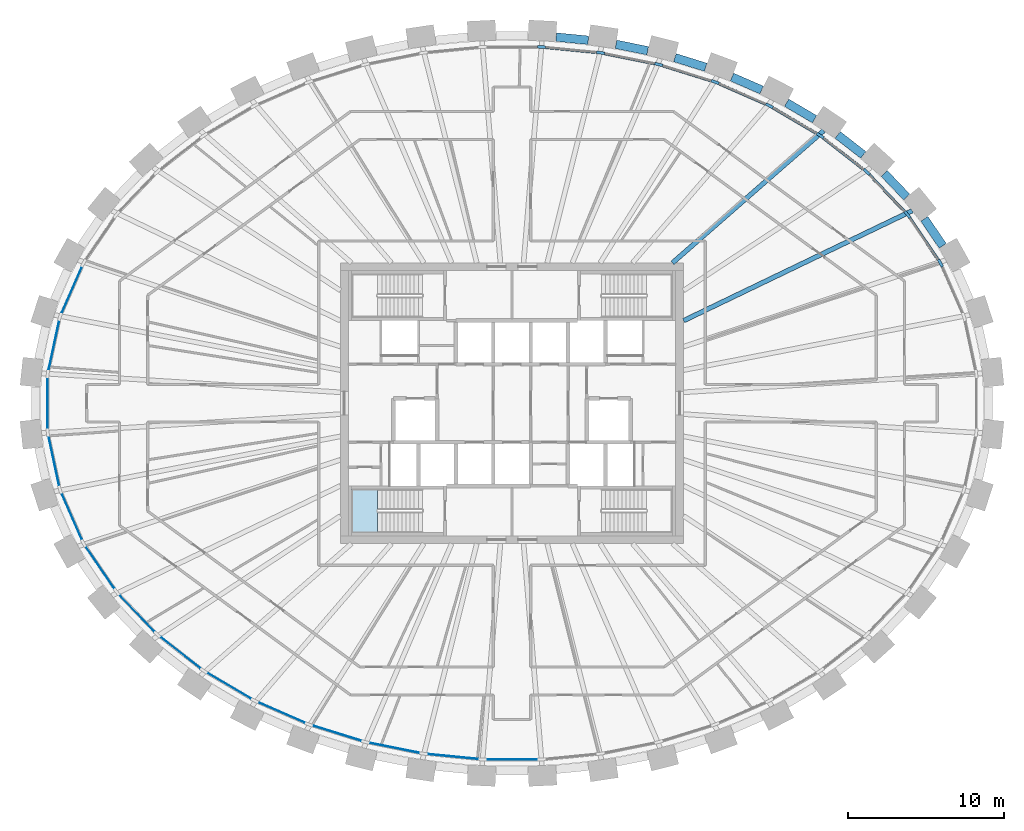
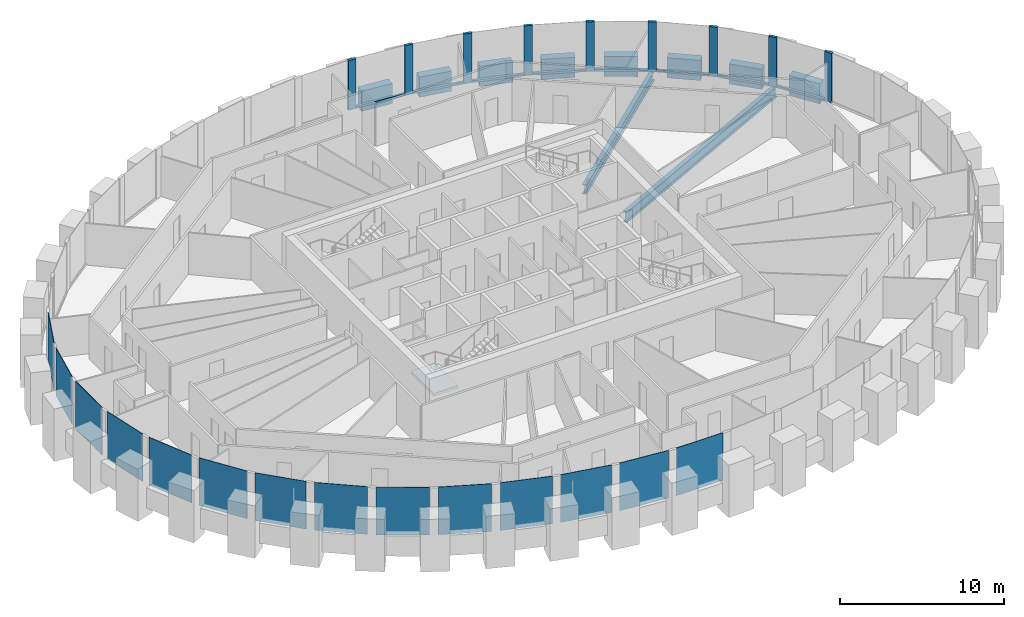
# One storey, part 4 of 12: 17 members, 14 plates, 10 beams, 1 slab, 2 elements without a shape of their own.
"""IFC4 building model written with IfcOpenShell, lengths in metres."""

from ifc_helpers import new_model, si_unit, direction, frame, origin, origin_2d, place, context, subcontext, project, spatial, polyline, rectangle, i_section, outline, extrude, source, transform, mapped, material, layer, layer_set, material_profile, profile_set, type_object, element, aggregate, save


model = new_model("IFC4")

# Units and contexts
model_context = context("Model", 3, precision=1e-05, world=origin(), true_north=direction((0.0, 1.0)))
body_context = subcontext(model_context, "Body", "Model", "MODEL_VIEW")
ifc_project = project(units=[si_unit("LENGTHUNIT", "METRE"), si_unit("AREAUNIT", "SQUARE_METRE"), si_unit("VOLUMEUNIT", "CUBIC_METRE"), si_unit("PLANEANGLEUNIT", "RADIAN"), si_unit("MASSUNIT", "GRAM", prefix="KILO")], contexts=[model_context])

# Site, building, storey
site_placement = place(None, origin())
site = spatial("IfcSite", under=ifc_project, at=site_placement, CompositionType="ELEMENT")
building_placement = place(site_placement, origin())
building = spatial("IfcBuilding", under=site, at=building_placement, Name="Embergate Tower", CompositionType="ELEMENT")
storey_placement = place(building_placement, frame((0.0, 0.0, 293.5)))
storey = spatial("IfcBuildingStorey", under=building, at=storey_placement, Name="L68", CompositionType="ELEMENT", Elevation=293.5)

# Beams
ifc_material_1 = material(Name="Concrete C50", Category="concrete")
ifc_material_profile_1 = material_profile(ifc_material_1, rectangle(XDim=0.550048828125, YDim=1.5, at=origin_2d()), Name="RC 550x1500")
ifc_profile_set_1 = profile_set([ifc_material_profile_1], Name="Concrete C50")
beam_type_1 = type_object("IfcBeamType", Name="Spandrel beam RC 550x1500 C50", PredefinedType="BEAM", material=ifc_profile_set_1)
shared_shape_1 = source(origin(), body_context, "Body", "SweptSolid", [
    extrude(rectangle(XDim=0.550048828125, YDim=1.5, at=origin_2d()), origin(), (0.0, 0.0, 1.0), 2.09033203125),
])
beam_1_placement = place(storey_placement, frame((27.618896484375, 10.093994140625, 0.0), z_axis=(-0.562009695033, 0.827130644269, 0.0), x_axis=(-0.827130644269, -0.562009695033, 0.0)))
element("IfcBeam", 1, at=beam_1_placement, inside=storey, type_object=beam_type_1, Name="SPN-L68-02", PredefinedType="BEAM", context=body_context, shape_type="MappedRepresentation", body=[
    mapped(shared_shape_1, transform((0.0, 0.0, 0.0))),
])
shared_shape_2 = source(origin(), body_context, "Body", "SweptSolid", [
    extrude(rectangle(XDim=0.550048828125, YDim=1.5, at=origin_2d()), origin(), (0.0, 0.0, 1.0), 2.08447265625),
])
beam_2_placement = place(storey_placement, frame((25.31298828125, 13.222900390625, 0.0), z_axis=(-0.690339235394, 0.72348582576, 0.0), x_axis=(-0.72348582576, -0.690339235394, 0.0)))
element("IfcBeam", 2, at=beam_2_placement, inside=storey, type_object=beam_type_1, Name="SPN-L68-03", PredefinedType="BEAM", context=body_context, shape_type="MappedRepresentation", body=[
    mapped(shared_shape_2, transform((0.0, 0.0, 0.0))),
])
shared_shape_3 = source(origin(), body_context, "Body", "SweptSolid", [
    extrude(rectangle(XDim=0.550048828125, YDim=1.5, at=origin_2d()), origin(), (0.0, 0.0, 1.0), 2.0791015625),
])
beam_3_placement = place(storey_placement, frame((22.527099609375, 15.925048828125, 0.0), z_axis=(-0.788383845435, 0.615183641084, 0.0), x_axis=(-0.615183641084, -0.788383845435, 0.0)))
element("IfcBeam", 3, at=beam_3_placement, inside=storey, type_object=beam_type_1, Name="SPN-L68-04", PredefinedType="BEAM", context=body_context, shape_type="MappedRepresentation", body=[
    mapped(shared_shape_3, transform((0.0, 0.0, 0.0))),
])
shared_shape_4 = source(origin(), body_context, "Body", "SweptSolid", [
    extrude(rectangle(XDim=0.550048828125, YDim=1.5, at=origin_2d()), origin(), (0.0, 0.0, 1.0), 2.074462890625),
])
beam_4_placement = place(storey_placement, frame((19.39892578125, 18.216064453125, 0.0), z_axis=(-0.861864620017, 0.507138419726, 0.0), x_axis=(-0.507138419726, -0.861864620017, 0.0)))
element("IfcBeam", 4, at=beam_4_placement, inside=storey, type_object=beam_type_1, Name="SPN-L68-05", PredefinedType="BEAM", context=body_context, shape_type="MappedRepresentation", body=[
    mapped(shared_shape_4, transform((0.0, 0.0, 0.0))),
])
shared_shape_5 = source(origin(), body_context, "Body", "SweptSolid", [
    extrude(rectangle(XDim=0.550048828125, YDim=1.5, at=origin_2d()), origin(), (0.0, 0.0, 1.0), 2.073486328125),
])
beam_5_placement = place(storey_placement, frame((16.008056640625, 20.0859375, 0.0), z_axis=(-0.91637608024, 0.400318472673, 0.0), x_axis=(-0.400318472673, -0.91637608024, 0.0)))
element("IfcBeam", 5, at=beam_5_placement, inside=storey, type_object=beam_type_1, Name="SPN-L68-06", PredefinedType="BEAM", context=body_context, shape_type="MappedRepresentation", body=[
    mapped(shared_shape_5, transform((0.0, 0.0, 0.0))),
])
shared_shape_6 = source(origin(), body_context, "Body", "SweptSolid", [
    extrude(rectangle(XDim=0.550048828125, YDim=1.5, at=origin_2d()), origin(), (0.0, 0.0, 1.0), 2.07080078125),
])
beam_6_placement = place(storey_placement, frame((12.422119140625, 21.544921875, 0.0), z_axis=(-0.954735561173, 0.297455892917, 0.0), x_axis=(-0.297455892917, -0.954735561173, 0.0)))
element("IfcBeam", 6, at=beam_6_placement, inside=storey, type_object=beam_type_1, Name="SPN-L68-07", PredefinedType="BEAM", context=body_context, shape_type="MappedRepresentation", body=[
    mapped(shared_shape_6, transform((0.0, 0.0, 0.0))),
])
shared_shape_7 = source(origin(), body_context, "Body", "SweptSolid", [
    extrude(rectangle(XDim=0.550048828125, YDim=1.5, at=origin_2d()), origin(), (0.0, 0.0, 1.0), 2.070556640625),
])
beam_7_placement = place(storey_placement, frame((8.700927734375, 22.60595703125, 0.0), z_axis=(-0.980398860457, 0.197023030165, 0.0), x_axis=(-0.197023030165, -0.980398860457, 0.0)))
element("IfcBeam", 7, at=beam_7_placement, inside=storey, type_object=beam_type_1, Name="SPN-L68-08", PredefinedType="BEAM", context=body_context, shape_type="MappedRepresentation", body=[
    mapped(shared_shape_7, transform((0.0, 0.0, 0.0))),
])
shared_shape_8 = source(origin(), body_context, "Body", "SweptSolid", [
    extrude(rectangle(XDim=0.550048828125, YDim=1.5, at=origin_2d()), origin(), (0.0, 0.0, 1.0), 2.06884765625),
])
beam_8_placement = place(storey_placement, frame((4.89111328125, 23.279052734375, 0.0), z_axis=(-0.995226952233, 0.097587466149, 0.0), x_axis=(-0.097587466149, -0.995226952233, 0.0)))
element("IfcBeam", 8, at=beam_8_placement, inside=storey, type_object=beam_type_1, Name="SPN-L68-09", PredefinedType="BEAM", context=body_context, shape_type="MappedRepresentation", body=[
    mapped(shared_shape_8, transform((0.0, 0.0, 0.0))),
])
ifc_material_2 = material(Name="Steel Q355B", Category="steel")
ifc_material_profile_2 = material_profile(ifc_material_2, i_section(OverallWidth=0.300048828125, OverallDepth=0.800048828125, WebThickness=0.013916015625, FlangeThickness=0.02587890625, FilletRadius=0.028076171875, at=origin_2d()), Name="HN 800x300x14x26")
ifc_profile_set_2 = profile_set([ifc_material_profile_2], Name="Steel Q355 grade B")
beam_type_2 = type_object("IfcBeamType", Name="Radial girder HN 800x300x14x26", PredefinedType="BEAM", material=ifc_profile_set_2)
shared_shape_9 = source(origin(), body_context, "Body", "SweptSolid", [
    extrude(i_section(OverallWidth=0.300048828125, OverallDepth=0.800048828125, WebThickness=0.013916015625, FlangeThickness=0.02587890625, FilletRadius=0.028076171875, at=origin_2d()), origin(), (0.0, 0.0, 1.0), 16.268310546875),
])
beam_9_placement = place(storey_placement, frame((25.659912109375, 12.344970703125, -0.60009765625), z_axis=(-0.901133717561, -0.433541258791, 0.0), x_axis=(0.433541258791, -0.901133717561, 0.0)))
element("IfcBeam", 9, at=beam_9_placement, inside=storey, type_object=beam_type_2, Name="GIR-L68-03", PredefinedType="BEAM", context=body_context, shape_type="MappedRepresentation", body=[
    mapped(shared_shape_9, transform((0.0, 0.0, 0.0))),
])
ifc_material_profile_3 = material_profile(ifc_material_2, i_section(OverallWidth=0.300048828125, OverallDepth=0.699951171875, WebThickness=0.012939453125, FlangeThickness=0.02392578125, FilletRadius=0.01806640625, at=origin_2d()), Name="HN 700x300x13x24")
ifc_profile_set_3 = profile_set([ifc_material_profile_3], Name="Steel Q355 grade B")
beam_type_3 = type_object("IfcBeamType", Name="Radial girder HN 700x300x13x24", PredefinedType="BEAM", material=ifc_profile_set_3)
shared_shape_10 = source(origin(), body_context, "Body", "SweptSolid", [
    extrude(i_section(OverallWidth=0.300048828125, OverallDepth=0.699951171875, WebThickness=0.012939453125, FlangeThickness=0.02392578125, FilletRadius=0.01806640625, at=origin_2d()), origin(), (0.0, 0.0, 1.0), 12.88330078125),
])
beam_10_placement = place(storey_placement, frame((19.989013671875, 17.48095703125, -0.550048828125), z_axis=(-0.752760969036, -0.658293949157, 0.0), x_axis=(0.658293949157, -0.752760969036, 0.0)))
element("IfcBeam", 10, at=beam_10_placement, inside=storey, type_object=beam_type_3, Name="GIR-L68-05", PredefinedType="BEAM", context=body_context, shape_type="MappedRepresentation", body=[
    mapped(shared_shape_10, transform((0.0, 0.0, 0.0))),
])

# Curtain wall, members, plates
ifc_material_3 = material(Name="Aluminium and glass", Category="aluminium")
curtain_wall_type = type_object("IfcCurtainWallType", Name="Recessed office glazing", PredefinedType="NOTDEFINED", material=ifc_material_3)
curtain_wall_placement = place(storey_placement, origin())
curtain_wall = element("IfcCurtainWall", 11, at=curtain_wall_placement, inside=storey, type_object=curtain_wall_type, Name="Recessed office glazing ring", ObjectType="RECESSED OFFICE GLAZING", PredefinedType="USERDEFINED")
ifc_material_4 = material(Name="Aluminium, thermally broken", Category="aluminium")
ifc_material_profile_4 = material_profile(ifc_material_4, rectangle(XDim=0.179931640625, YDim=0.52001953125, at=origin_2d()), Name="AL 520x180")
ifc_profile_set_4 = profile_set([ifc_material_profile_4], Name="Aluminium, thermally broken")
member_type_1 = type_object("IfcMemberType", Name="Office mullion", PredefinedType="MULLION", material=ifc_profile_set_4)
shared_shape_11 = source(origin(), body_context, "Body", "SweptSolid", [
    extrude(rectangle(XDim=0.179931640625, YDim=0.52001953125, at=origin_2d()), origin(), (0.0, 0.0, 1.0), 3.699951171875),
])
member_1_placement = place(storey_placement, frame((27.4755859375, 8.983642578125, 0.0), z_axis=(0.0, 0.0, 1.0), x_axis=(-0.87499344622, -0.484134763338, 0.0)))
member_1 = element("IfcMember", 12, at=member_1_placement, type_object=member_type_1, Name="CW mullion 3", PredefinedType="MULLION", context=body_context, shape_type="MappedRepresentation", body=[
    mapped(shared_shape_11, transform((0.0, 0.0, 0.0))),
])
member_2_placement = place(storey_placement, frame((25.357421875, 12.098388671875, 0.0), z_axis=(0.0, 0.0, 1.0), x_axis=(-0.777863789852, -0.628432911643, 0.0)))
member_2 = element("IfcMember", 13, at=member_2_placement, type_object=member_type_1, Name="CW mullion 4", PredefinedType="MULLION", context=body_context, shape_type="MappedRepresentation", body=[
    mapped(shared_shape_11, transform((0.0, 0.0, 0.0))),
])
member_3_placement = place(storey_placement, frame((22.752197265625, 14.83056640625, 0.0), z_axis=(0.0, 0.0, 1.0), x_axis=(-0.671220065284, -0.741258135847, 0.0)))
member_3 = element("IfcMember", 14, at=member_3_placement, type_object=member_type_1, Name="CW mullion 5", PredefinedType="MULLION", context=body_context, shape_type="MappedRepresentation", body=[
    mapped(shared_shape_11, transform((0.0, 0.0, 0.0))),
])
member_4_placement = place(storey_placement, frame((19.770263671875, 17.15771484375, 0.0), z_axis=(0.0, 0.0, 1.0), x_axis=(-0.562211845055, -0.826993253467, 0.0)))
member_4 = element("IfcMember", 15, at=member_4_placement, type_object=member_type_1, Name="CW mullion 6", PredefinedType="MULLION", context=body_context, shape_type="MappedRepresentation", body=[
    mapped(shared_shape_11, transform((0.0, 0.0, 0.0))),
])
member_5_placement = place(storey_placement, frame((16.504638671875, 19.077880859375, 0.0), z_axis=(0.0, 0.0, 1.0), x_axis=(-0.454508271251, -0.890742516872, 0.0)))
member_5 = element("IfcMember", 16, at=member_5_placement, type_object=member_type_1, Name="CW mullion 7", PredefinedType="MULLION", context=body_context, shape_type="MappedRepresentation", body=[
    mapped(shared_shape_11, transform((0.0, 0.0, 0.0))),
])
member_6_placement = place(storey_placement, frame((13.029541015625, 20.597412109375, 0.0), z_axis=(0.0, 0.0, 1.0), x_axis=(-0.349501047589, -0.936935973124, 0.0)))
member_6 = element("IfcMember", 17, at=member_6_placement, type_object=member_type_1, Name="CW mullion 8", PredefinedType="MULLION", context=body_context, shape_type="MappedRepresentation", body=[
    mapped(shared_shape_11, transform((0.0, 0.0, 0.0))),
])
member_7_placement = place(storey_placement, frame((9.405029296875, 21.72607421875, 0.0), z_axis=(0.0, 0.0, 1.0), x_axis=(-0.24731188137, -0.968935928394, 0.0)))
member_7 = element("IfcMember", 18, at=member_7_placement, type_object=member_type_1, Name="CW mullion 9", PredefinedType="MULLION", context=body_context, shape_type="MappedRepresentation", body=[
    mapped(shared_shape_11, transform((0.0, 0.0, 0.0))),
])
member_8_placement = place(storey_placement, frame((5.68115234375, 22.472900390625, 0.0), z_axis=(0.0, 0.0, 1.0), x_axis=(-0.147412382818, -0.989075118174, 0.0)))
member_8 = element("IfcMember", 19, at=member_8_placement, type_object=member_type_1, Name="CW mullion 10", PredefinedType="MULLION", context=body_context, shape_type="MappedRepresentation", body=[
    mapped(shared_shape_11, transform((0.0, 0.0, 0.0))),
])
member_9_placement = place(storey_placement, frame((1.89990234375, 22.844482421875, 0.0), z_axis=(0.0, 0.0, 1.0), x_axis=(-0.048971796621, -0.998800161762, 0.0)))
member_9 = element("IfcMember", 20, at=member_9_placement, type_object=member_type_1, Name="CW mullion 11", PredefinedType="MULLION", context=body_context, shape_type="MappedRepresentation", body=[
    mapped(shared_shape_11, transform((0.0, 0.0, 0.0))),
])
ifc_material_profile_5 = material_profile(ifc_material_4, rectangle(XDim=0.179931640625, YDim=0.14990234375, at=origin_2d()), Name="AL 150x180")
ifc_profile_set_5 = profile_set([ifc_material_profile_5], Name="Aluminium, thermally broken")
member_type_2 = type_object("IfcMemberType", Name="Office sill transom", PredefinedType="USERDEFINED", material=ifc_profile_set_5)
shared_shape_12 = source(origin(), body_context, "Body", "SweptSolid", [
    extrude(rectangle(XDim=0.179931640625, YDim=0.14990234375, at=origin_2d()), origin(), (0.0, 0.0, 1.0), 3.246826171875),
])
member_10_placement = place(storey_placement, frame((27.32958984375, 9.19873046875, 0.074951171875), z_axis=(-0.562363493995, 0.826890138182, 0.0), x_axis=(-0.826890138182, -0.562363493995, 0.0)))
member_10 = element("IfcMember", 21, at=member_10_placement, type_object=member_type_2, Name="CW transom 3.1", ObjectType="TRANSOM", PredefinedType="USERDEFINED", context=body_context, shape_type="MappedRepresentation", body=[
    mapped(shared_shape_12, transform((0.0, 0.0, 0.0))),
])
shared_shape_13 = source(origin(), body_context, "Body", "SweptSolid", [
    extrude(rectangle(XDim=0.179931640625, YDim=0.14990234375, at=origin_2d()), origin(), (0.0, 0.0, 1.0), 3.255126953125),
])
member_11_placement = place(storey_placement, frame((25.177978515625, 12.28662109375, 0.074951171875), z_axis=(-0.690106396673, 0.723707925389, 0.0), x_axis=(-0.723707925389, -0.690106396673, 0.0)))
member_11 = element("IfcMember", 22, at=member_11_placement, type_object=member_type_2, Name="CW transom 4.1", ObjectType="TRANSOM", PredefinedType="USERDEFINED", context=body_context, shape_type="MappedRepresentation", body=[
    mapped(shared_shape_13, transform((0.0, 0.0, 0.0))),
])
shared_shape_14 = source(origin(), body_context, "Body", "SweptSolid", [
    extrude(rectangle(XDim=0.179931640625, YDim=0.14990234375, at=origin_2d()), origin(), (0.0, 0.0, 1.0), 3.262451171875),
])
member_12_placement = place(storey_placement, frame((22.547119140625, 14.990478515625, 0.074951171875), z_axis=(-0.788303389344, 0.615286735066, 0.0), x_axis=(-0.615286735066, -0.788303389344, 0.0)))
member_12 = element("IfcMember", 23, at=member_12_placement, type_object=member_type_2, Name="CW transom 5.1", ObjectType="TRANSOM", PredefinedType="USERDEFINED", context=body_context, shape_type="MappedRepresentation", body=[
    mapped(shared_shape_14, transform((0.0, 0.0, 0.0))),
])
shared_shape_15 = source(origin(), body_context, "Body", "SweptSolid", [
    extrude(rectangle(XDim=0.179931640625, YDim=0.14990234375, at=origin_2d()), origin(), (0.0, 0.0, 1.0), 3.268310546875),
])
member_13_placement = place(storey_placement, frame((19.546142578125, 17.28955078125, 0.074951171875), z_axis=(-0.862039813646, 0.506840566342, 0.0), x_axis=(-0.506840566342, -0.862039813646, 0.0)))
member_13 = element("IfcMember", 24, at=member_13_placement, type_object=member_type_2, Name="CW transom 6.1", ObjectType="TRANSOM", PredefinedType="USERDEFINED", context=body_context, shape_type="MappedRepresentation", body=[
    mapped(shared_shape_15, transform((0.0, 0.0, 0.0))),
])
shared_shape_16 = source(origin(), body_context, "Body", "SweptSolid", [
    extrude(rectangle(XDim=0.179931640625, YDim=0.14990234375, at=origin_2d()), origin(), (0.0, 0.0, 1.0), 3.27294921875),
])
member_14_placement = place(storey_placement, frame((16.266357421875, 19.181884765625, 0.074951171875), z_axis=(-0.91623435737, 0.400642736582, 0.0), x_axis=(-0.400642736582, -0.91623435737, 0.0)))
member_14 = element("IfcMember", 25, at=member_14_placement, type_object=member_type_2, Name="CW transom 7.1", ObjectType="TRANSOM", PredefinedType="USERDEFINED", context=body_context, shape_type="MappedRepresentation", body=[
    mapped(shared_shape_16, transform((0.0, 0.0, 0.0))),
])
shared_shape_17 = source(origin(), body_context, "Body", "SweptSolid", [
    extrude(rectangle(XDim=0.179931640625, YDim=0.14990234375, at=origin_2d()), origin(), (0.0, 0.0, 1.0), 3.276123046875),
])
member_15_placement = place(storey_placement, frame((12.78125, 20.674560546875, 0.074951171875), z_axis=(-0.954771243255, 0.297341340976, 0.0), x_axis=(-0.297341340976, -0.954771243255, 0.0)))
member_15 = element("IfcMember", 26, at=member_15_placement, type_object=member_type_2, Name="CW transom 8.1", ObjectType="TRANSOM", PredefinedType="USERDEFINED", context=body_context, shape_type="MappedRepresentation", body=[
    mapped(shared_shape_17, transform((0.0, 0.0, 0.0))),
])
shared_shape_18 = source(origin(), body_context, "Body", "SweptSolid", [
    extrude(rectangle(XDim=0.179931640625, YDim=0.14990234375, at=origin_2d()), origin(), (0.0, 0.0, 1.0), 3.278076171875),
])
member_16_placement = place(storey_placement, frame((9.150146484375, 21.777099609375, 0.074951171875), z_axis=(-0.98046593112, 0.196688987777, 0.0), x_axis=(-0.196688987777, -0.98046593112, 0.0)))
member_16 = element("IfcMember", 27, at=member_16_placement, type_object=member_type_2, Name="CW transom 9.1", ObjectType="TRANSOM", PredefinedType="USERDEFINED", context=body_context, shape_type="MappedRepresentation", body=[
    mapped(shared_shape_18, transform((0.0, 0.0, 0.0))),
])
shared_shape_19 = source(origin(), body_context, "Body", "SweptSolid", [
    extrude(rectangle(XDim=0.179931640625, YDim=0.14990234375, at=origin_2d()), origin(), (0.0, 0.0, 1.0), 3.279296875),
])
member_17_placement = place(storey_placement, frame((5.42236328125, 22.498291015625, 0.074951171875), z_axis=(-0.995203828947, 0.097822997549, 0.0), x_axis=(-0.097822997549, -0.995203828947, 0.0)))
member_17 = element("IfcMember", 28, at=member_17_placement, type_object=member_type_2, Name="CW transom 10.1", ObjectType="TRANSOM", PredefinedType="USERDEFINED", context=body_context, shape_type="MappedRepresentation", body=[
    mapped(shared_shape_19, transform((0.0, 0.0, 0.0))),
])
ifc_material_5 = material(Name="Triple glazing, low-emissivity coating", Category="glass")
ifc_layer_1 = layer(ifc_material_5, 0.035888671875)
ifc_layer_set_1 = layer_set([ifc_layer_1], Name="Triple glazing, low-emissivity coating")
plate_type = type_object("IfcPlateType", Name="Office glazing unit", PredefinedType="CURTAIN_PANEL", material=ifc_layer_set_1)
shared_shape_20 = source(origin(), body_context, "Body", "SweptSolid", [
    extrude(rectangle(XDim=3.2314453125, YDim=0.035888671875, at=origin_2d()), origin(), (0.0, 0.0, 1.0), 3.550048828125),
])
plate_1_placement = place(storey_placement, frame((-29.3798828125, 3.708251953125, 0.14990234375), z_axis=(0.0, 0.0, 1.0), x_axis=(-0.210398391177, -0.97761573074, 0.0)))
plate_1 = element("IfcPlate", 29, at=plate_1_placement, type_object=plate_type, Name="CW panel 21.1", PredefinedType="CURTAIN_PANEL", context=body_context, shape_type="MappedRepresentation", body=[
    mapped(shared_shape_20, transform((0.0, 0.0, 0.0))),
])
plate_2_placement = place(storey_placement, frame((-29.3798828125, -3.708251953125, 0.14990234375), z_axis=(0.0, 0.0, 1.0), x_axis=(0.210398391177, -0.97761573074, 0.0)))
plate_2 = element("IfcPlate", 30, at=plate_2_placement, type_object=plate_type, Name="CW panel 23.1", PredefinedType="CURTAIN_PANEL", context=body_context, shape_type="MappedRepresentation", body=[
    mapped(shared_shape_20, transform((0.0, 0.0, 0.0))),
])
shared_shape_21 = source(origin(), body_context, "Body", "SweptSolid", [
    extrude(rectangle(XDim=3.23828125, YDim=0.035888671875, at=origin_2d()), origin(), (0.0, 0.0, 1.0), 3.550048828125),
])
plate_3_placement = place(storey_placement, frame((-28.23046875, 7.2626953125, 0.14990234375), z_axis=(0.0, 0.0, 1.0), x_axis=(-0.401653699516, -0.915791627864, 0.0)))
plate_3 = element("IfcPlate", 31, at=plate_3_placement, type_object=plate_type, Name="CW panel 20.1", PredefinedType="CURTAIN_PANEL", context=body_context, shape_type="MappedRepresentation", body=[
    mapped(shared_shape_21, transform((0.0, 0.0, 0.0))),
])
plate_4_placement = place(storey_placement, frame((-28.23046875, -7.2626953125, 0.14990234375), z_axis=(0.0, 0.0, 1.0), x_axis=(0.401653699516, -0.915791627864, 0.0)))
plate_4 = element("IfcPlate", 32, at=plate_4_placement, type_object=plate_type, Name="CW panel 24.1", PredefinedType="CURTAIN_PANEL", context=body_context, shape_type="MappedRepresentation", body=[
    mapped(shared_shape_21, transform((0.0, 0.0, 0.0))),
])
shared_shape_22 = source(origin(), body_context, "Body", "SweptSolid", [
    extrude(rectangle(XDim=3.246826171875, YDim=0.035888671875, at=origin_2d()), origin(), (0.0, 0.0, 1.0), 3.550048828125),
])
plate_5_placement = place(storey_placement, frame((-26.41650390625, -10.541015625, 0.14990234375), z_axis=(0.0, 0.0, 1.0), x_axis=(0.562341741915, -0.826904931234, 0.0)))
plate_5 = element("IfcPlate", 33, at=plate_5_placement, type_object=plate_type, Name="CW panel 25.1", PredefinedType="CURTAIN_PANEL", context=body_context, shape_type="MappedRepresentation", body=[
    mapped(shared_shape_22, transform((0.0, 0.0, 0.0))),
])
shared_shape_23 = source(origin(), body_context, "Body", "SweptSolid", [
    extrude(rectangle(XDim=3.255126953125, YDim=0.035888671875, at=origin_2d()), origin(), (0.0, 0.0, 1.0), 3.550048828125),
])
plate_6_placement = place(storey_placement, frame((-24.0546875, -13.464599609375, 0.14990234375), z_axis=(0.0, 0.0, 1.0), x_axis=(0.690133784465, -0.723681808215, 0.0)))
plate_6 = element("IfcPlate", 34, at=plate_6_placement, type_object=plate_type, Name="CW panel 26.1", PredefinedType="CURTAIN_PANEL", context=body_context, shape_type="MappedRepresentation", body=[
    mapped(shared_shape_23, transform((0.0, 0.0, 0.0))),
])
shared_shape_24 = source(origin(), body_context, "Body", "SweptSolid", [
    extrude(rectangle(XDim=3.262451171875, YDim=0.035888671875, at=origin_2d()), origin(), (0.0, 0.0, 1.0), 3.550048828125),
])
plate_7_placement = place(storey_placement, frame((-21.26123046875, -15.994140625, 0.14990234375), z_axis=(0.0, 0.0, 1.0), x_axis=(0.788317971569, -0.615268051911, 0.0)))
plate_7 = element("IfcPlate", 35, at=plate_7_placement, type_object=plate_type, Name="CW panel 27.1", PredefinedType="CURTAIN_PANEL", context=body_context, shape_type="MappedRepresentation", body=[
    mapped(shared_shape_24, transform((0.0, 0.0, 0.0))),
])
shared_shape_25 = source(origin(), body_context, "Body", "SweptSolid", [
    extrude(rectangle(XDim=3.268310546875, YDim=0.035888671875, at=origin_2d()), origin(), (0.0, 0.0, 1.0), 3.550048828125),
])
plate_8_placement = place(storey_placement, frame((-18.137451171875, -18.117919921875, 0.14990234375), z_axis=(0.0, 0.0, 1.0), x_axis=(0.862051398678, -0.50682086188, 0.0)))
plate_8 = element("IfcPlate", 36, at=plate_8_placement, type_object=plate_type, Name="CW panel 28.1", PredefinedType="CURTAIN_PANEL", context=body_context, shape_type="MappedRepresentation", body=[
    mapped(shared_shape_25, transform((0.0, 0.0, 0.0))),
])
shared_shape_26 = source(origin(), body_context, "Body", "SweptSolid", [
    extrude(rectangle(XDim=3.272705078125, YDim=0.035888671875, at=origin_2d()), origin(), (0.0, 0.0, 1.0), 3.550048828125),
])
plate_9_placement = place(storey_placement, frame((-14.76708984375, -19.837646484375, 0.14990234375), z_axis=(0.0, 0.0, 1.0), x_axis=(0.916234813243, -0.400641694037, 0.0)))
plate_9 = element("IfcPlate", 37, at=plate_9_placement, type_object=plate_type, Name="CW panel 29.1", PredefinedType="CURTAIN_PANEL", context=body_context, shape_type="MappedRepresentation", body=[
    mapped(shared_shape_26, transform((0.0, 0.0, 0.0))),
])
shared_shape_27 = source(origin(), body_context, "Body", "SweptSolid", [
    extrude(rectangle(XDim=3.27587890625, YDim=0.035888671875, at=origin_2d()), origin(), (0.0, 0.0, 1.0), 3.550048828125),
])
plate_10_placement = place(storey_placement, frame((-11.21728515625, -21.16162109375, 0.14990234375), z_axis=(0.0, 0.0, 1.0), x_axis=(0.954771179262, -0.297341546458, 0.0)))
plate_10 = element("IfcPlate", 38, at=plate_10_placement, type_object=plate_type, Name="CW panel 30.1", PredefinedType="CURTAIN_PANEL", context=body_context, shape_type="MappedRepresentation", body=[
    mapped(shared_shape_27, transform((0.0, 0.0, 0.0))),
])
shared_shape_28 = source(origin(), body_context, "Body", "SweptSolid", [
    extrude(rectangle(XDim=3.2783203125, YDim=0.035888671875, at=origin_2d()), origin(), (0.0, 0.0, 1.0), 3.550048828125),
])
plate_11_placement = place(storey_placement, frame((-7.543212890625, -22.099609375, 0.14990234375), z_axis=(0.0, 0.0, 1.0), x_axis=(0.980475564207, -0.196640962142, 0.0)))
plate_11 = element("IfcPlate", 39, at=plate_11_placement, type_object=plate_type, Name="CW panel 31.1", PredefinedType="CURTAIN_PANEL", context=body_context, shape_type="MappedRepresentation", body=[
    mapped(shared_shape_28, transform((0.0, 0.0, 0.0))),
])
shared_shape_29 = source(origin(), body_context, "Body", "SweptSolid", [
    extrude(rectangle(XDim=3.279296875, YDim=0.035888671875, at=origin_2d()), origin(), (0.0, 0.0, 1.0), 3.550048828125),
])
plate_12_placement = place(storey_placement, frame((-3.79052734375, -22.65869140625, 0.14990234375), z_axis=(0.0, 0.0, 1.0), x_axis=(0.995203184788, -0.097829550688, 0.0)))
plate_12 = element("IfcPlate", 40, at=plate_12_placement, type_object=plate_type, Name="CW panel 32.1", PredefinedType="CURTAIN_PANEL", context=body_context, shape_type="MappedRepresentation", body=[
    mapped(shared_shape_29, transform((0.0, 0.0, 0.0))),
])
shared_shape_30 = source(origin(), body_context, "Body", "SweptSolid", [
    extrude(rectangle(XDim=3.27978515625, YDim=0.035888671875, at=origin_2d()), origin(), (0.0, 0.0, 1.0), 3.550048828125),
])
plate_13_placement = place(storey_placement, frame((0.0, -22.844482421875, 0.14990234375), z_axis=(0.0, 0.0, 1.0), x_axis=(1.0, 0.0, 0.0)))
plate_13 = element("IfcPlate", 41, at=plate_13_placement, type_object=plate_type, Name="CW panel 33.1", PredefinedType="CURTAIN_PANEL", context=body_context, shape_type="MappedRepresentation", body=[
    mapped(shared_shape_30, transform((0.0, 0.0, 0.0))),
])
shared_shape_31 = source(origin(), body_context, "Body", "SweptSolid", [
    extrude(rectangle(XDim=3.22900390625, YDim=0.035888671875, at=origin_2d()), origin(), (0.0, 0.0, 1.0), 3.550048828125),
])
plate_14_placement = place(storey_placement, frame((-29.774658203125, 0.0, 0.14990234375), z_axis=(0.0, 0.0, 1.0), x_axis=(0.0, -1.0, 0.0)))
plate_14 = element("IfcPlate", 42, at=plate_14_placement, type_object=plate_type, Name="CW panel 22.1", PredefinedType="CURTAIN_PANEL", context=body_context, shape_type="MappedRepresentation", body=[
    mapped(shared_shape_31, transform((0.0, 0.0, 0.0))),
])
aggregate(curtain_wall, [member_1, member_2, member_3, member_4, member_5, member_6, member_7, member_8, member_9, member_10, member_11, member_12, member_13, member_14, member_15, member_16, member_17, plate_3, plate_1, plate_14, plate_2, plate_4, plate_5, plate_6, plate_7, plate_8, plate_9, plate_10, plate_11, plate_12, plate_13])

# Stair, slab
ifc_material_6 = material(Name="Exit stair")
stair_type = type_object("IfcStairType", Name="Exit stair", PredefinedType="HALF_TURN_STAIR", material=ifc_material_6)
stair_placement = place(storey_placement, origin())
stair = element("IfcStair", 43, at=stair_placement, inside=storey, type_object=stair_type, Name="L68 Exit stair 3", PredefinedType="HALF_TURN_STAIR")
ifc_material_7 = material(Name="Concrete C40", Category="concrete")
ifc_layer_2 = layer(ifc_material_7, 0.199951171875)
ifc_layer_set_2 = layer_set([ifc_layer_2], Name="Concrete C40")
slab_type = type_object("IfcSlabType", Name="Stair landing reinforced concrete", PredefinedType="LANDING", material=ifc_layer_set_2)
shared_shape_32 = source(origin(), body_context, "Body", "SweptSolid", [
    extrude(outline(polyline([(0.0, 0.0), (1.68994140625, 0.0), (1.68994140625, 2.800048828125), (0.0, 2.800048828125), (0.0, 0.0)])), origin(), (0.0, 0.0, 1.0), 0.199951171875),
])
slab_placement = place(storey_placement, frame((-10.300048828125, -8.300048828125, 1.75)))
slab = element("IfcSlab", 44, at=slab_placement, type_object=slab_type, Name="ST3 landing 1", PredefinedType="LANDING", context=body_context, shape_type="MappedRepresentation", body=[
    mapped(shared_shape_32, transform((0.0, 0.0, 0.0))),
])
aggregate(stair, [slab])

save(model, "model.ifc")
